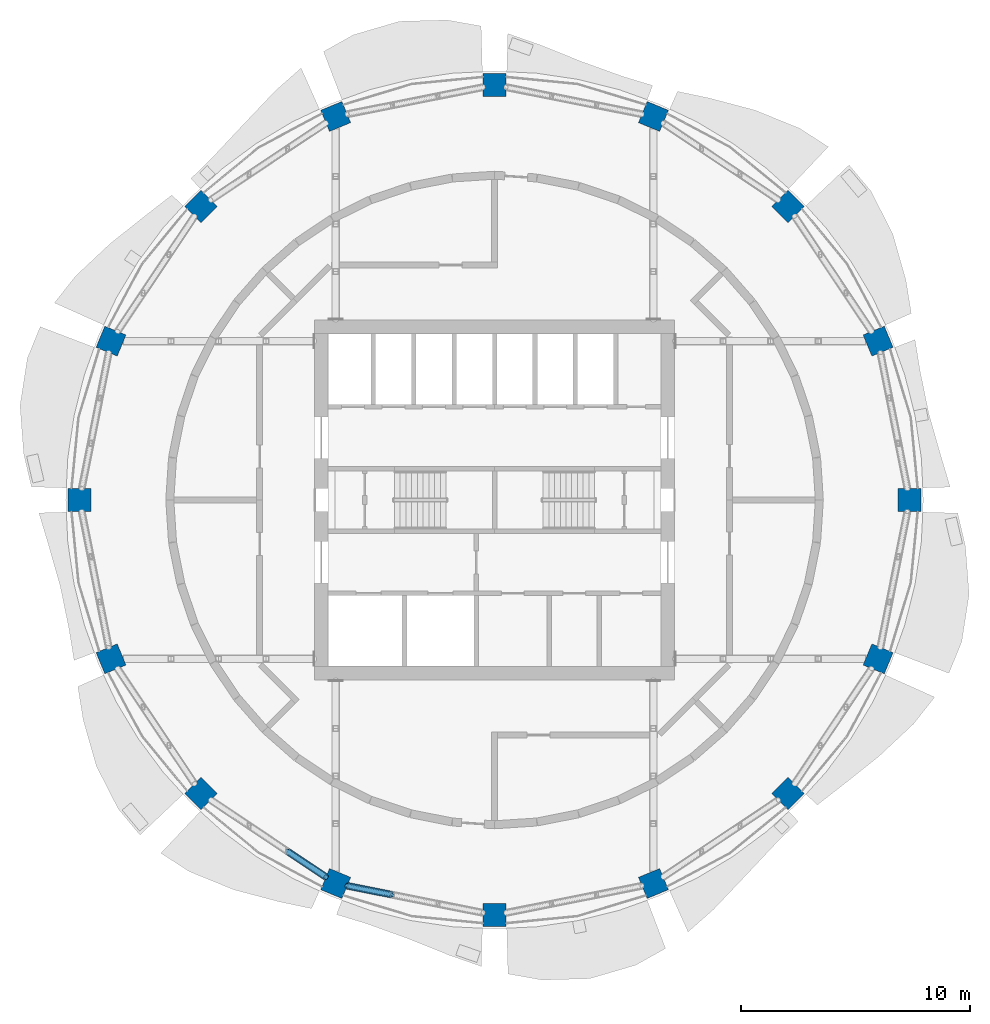
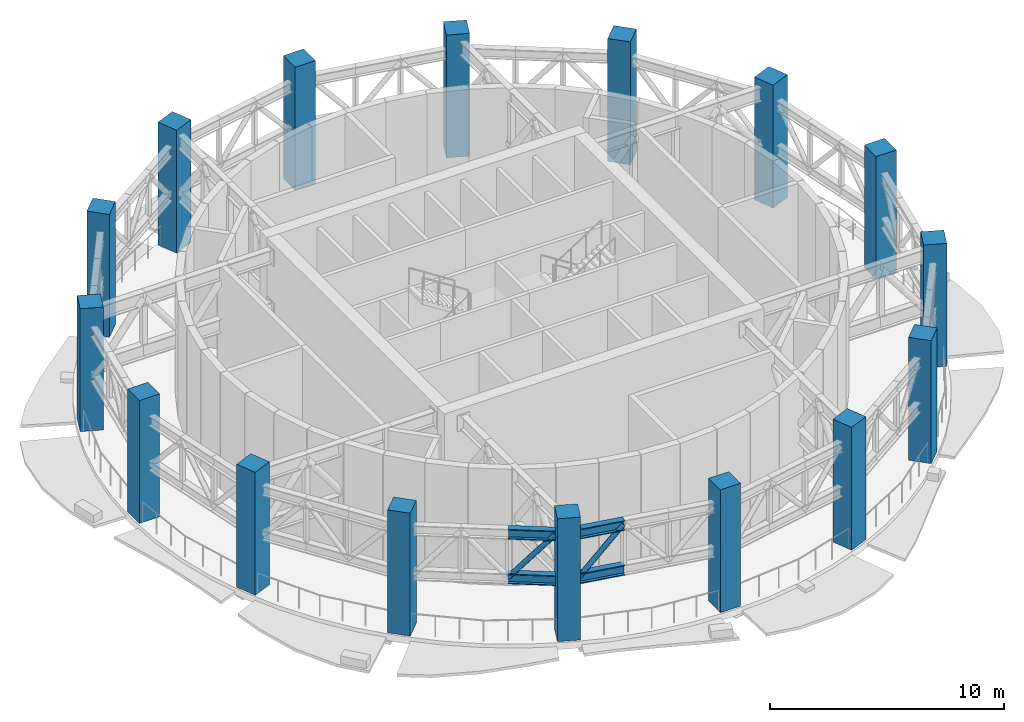
# One storey, part 1 of 14: 16 columns, 6 members.
"""IFC4 building model written with IfcOpenShell, lengths in metres."""

from ifc_helpers import new_model, si_unit, direction, frame, origin, origin_2d, place, context, subcontext, project, spatial, rectangle, hollow_circle, i_section, extrude, material, material_profile, profile_set, type_object, element, save


model = new_model("IFC4")

# Units and contexts
model_context = context("Model", 3, precision=1e-05, world=origin(), true_north=direction((0.0, 1.0)))
body_context = subcontext(model_context, "Body", "Model", "MODEL_VIEW")
ifc_project = project(units=[si_unit("LENGTHUNIT", "METRE"), si_unit("AREAUNIT", "SQUARE_METRE"), si_unit("VOLUMEUNIT", "CUBIC_METRE"), si_unit("PLANEANGLEUNIT", "RADIAN"), si_unit("MASSUNIT", "GRAM", prefix="KILO")], contexts=[model_context])

# Site, building, storey
site_placement = place(None, origin())
site = spatial("IfcSite", under=ifc_project, at=site_placement, CompositionType="ELEMENT")
building_placement = place(site_placement, origin())
building = spatial("IfcBuilding", under=site, at=building_placement, Name="Polderwave Tower", CompositionType="ELEMENT")
storey_placement = place(building_placement, frame((0.0, 0.0, 161.14990234375)))
storey = spatial("IfcBuildingStorey", under=building, at=storey_placement, Name="L43", CompositionType="ELEMENT", Elevation=161.14990234375)

# Columns
ifc_material_1 = material(Name="Concrete C60/75", Category="concrete")
ifc_material_profile_1 = material_profile(ifc_material_1, rectangle(XDim=1.0, YDim=1.0, at=origin_2d()), Name="RC 1000x1000")
ifc_profile_set_1 = profile_set([ifc_material_profile_1], Name="Concrete C60/75")
column_type = type_object("IfcColumnType", Name="RC COLUMN 1000x1000 C60/75", PredefinedType="COLUMN", material=ifc_profile_set_1)
for number, where, z_axis, x_axis, name in (
    (1, (18.14990234375, 0.0, 0.0), (0.0, 0.0, 1.0), (1.0, 0.0, 0.0), "Ring column 01"),
    (2, (16.768310546875, 6.94580078125, 0.0), (0.0, 0.0, 1.0), (0.923879532511, 0.382683432365, 0.0), "Ring column 02"),
    (3, (12.833984375, 12.833984375, 0.0), (0.0, 0.0, 1.0), (0.707106781187, 0.707106781187, 0.0), "Ring column 03"),
    (4, (6.94580078125, 16.768310546875, 0.0), (0.0, 0.0, 1.0), (0.382683432365, 0.923879532511, 0.0), "Ring column 04"),
    (5, (0.0, 18.14990234375, 0.0), (0.0, 0.0, 1.0), (0.0, 1.0, 0.0), "Ring column 05"),
    (6, (-6.94580078125, 16.768310546875, 0.0), (0.0, 0.0, 1.0), (-0.382683432365, 0.923879532511, 0.0), "Ring column 06"),
    (7, (-12.833984375, 12.833984375, 0.0), (0.0, 0.0, 1.0), (-0.707106781187, 0.707106781187, 0.0), "Ring column 07"),
    (8, (-16.768310546875, 6.94580078125, 0.0), (0.0, 0.0, 1.0), (-0.923879532511, 0.382683432365, 0.0), "Ring column 08"),
    (9, (-18.14990234375, 0.0, 0.0), (0.0, 0.0, 1.0), (-1.0, 0.0, 0.0), "Ring column 09"),
    (10, (-16.768310546875, -6.94580078125, 0.0), (0.0, 0.0, 1.0), (-0.923879532511, -0.382683432365, 0.0), "Ring column 10"),
    (11, (-12.833984375, -12.833984375, 0.0), (0.0, 0.0, 1.0), (-0.707106781187, -0.707106781187, 0.0), "Ring column 11"),
    (12, (-6.94580078125, -16.768310546875, 0.0), (0.0, 0.0, 1.0), (-0.382683432365, -0.923879532511, 0.0), "Ring column 12"),
    (13, (0.0, -18.14990234375, 0.0), (0.0, 0.0, 1.0), (0.0, -1.0, 0.0), "Ring column 13"),
    (14, (6.94580078125, -16.768310546875, 0.0), (0.0, 0.0, 1.0), (0.382683432365, -0.923879532511, 0.0), "Ring column 14"),
    (15, (12.833984375, -12.833984375, 0.0), (0.0, 0.0, 1.0), (0.707106781187, -0.707106781187, 0.0), "Ring column 15"),
    (16, (16.768310546875, -6.94580078125, 0.0), (0.0, 0.0, 1.0), (0.923879532511, -0.382683432365, 0.0), "Ring column 16"),
):
    element("IfcColumn", number, at=place(storey_placement, frame(where, z_axis=z_axis, x_axis=x_axis)), inside=storey, type_object=column_type, Name=name, PredefinedType="COLUMN", context=body_context, shape_type="SweptSolid", body=[
        extrude(rectangle(XDim=1.0, YDim=1.0, at=origin_2d()), origin(), (0.0, 0.0, 1.0), 6.400146484375),
    ])

# Members
ifc_material_2 = material(Name="Steel S460", Category="steel")
ifc_material_profile_2 = material_profile(ifc_material_2, i_section(OverallWidth=0.305908203125, OverallDepth=0.52392578125, WebThickness=0.02099609375, FlangeThickness=0.0400390625, at=origin_2d()), Name="HE 500 M")
ifc_profile_set_2 = profile_set([ifc_material_profile_2], Name="Steel S460")
member_type_1 = type_object("IfcMemberType", Name="BELT CHORD HE 500 M", PredefinedType="CHORD", material=ifc_profile_set_2)
for number, where, z_axis, x_axis, name in (
    (17, (-9.0498046875, -15.362548828125, 5.18798828125), (0.831492237093, -0.555536371135, 0.0), (0.555536371135, 0.831492237093, 0.0), "ST-BT-L43-10-TC3"),
    (18, (-9.0498046875, -15.362548828125, 2.862060546875), (0.831492237093, -0.555536371135, 0.0), (0.555536371135, 0.831492237093, 0.0), "ST-BT-L43-10-BC3"),
    (19, (-6.44580078125, -16.867919921875, 5.18798828125), (0.980779976955, -0.195116982358, 0.0), (0.195116982358, 0.980779976955, 0.0), "ST-BT-L43-11-TC1"),
    (20, (-6.44580078125, -16.867919921875, 2.862060546875), (0.980779976955, -0.195116982358, 0.0), (0.195116982358, 0.980779976955, 0.0), "ST-BT-L43-11-BC1"),
):
    element("IfcMember", number, at=place(storey_placement, frame(where, z_axis=z_axis, x_axis=x_axis)), inside=storey, type_object=member_type_1, Name=name, PredefinedType="CHORD", context=body_context, shape_type="SweptSolid", body=[
        extrude(i_section(OverallWidth=0.305908203125, OverallDepth=0.52392578125, WebThickness=0.02099609375, FlangeThickness=0.0400390625, at=origin_2d()), origin(), (0.0, 0.0, 1.0), 2.020751953125),
    ])
ifc_material_profile_3 = material_profile(ifc_material_2, hollow_circle(Radius=0.122314453125, WallThickness=0.010009765625, at=origin_2d()), Name="CHS 244.5x10")
ifc_profile_set_3 = profile_set([ifc_material_profile_3], Name="Steel S460")
member_type_2 = type_object("IfcMemberType", Name="BELT DIAGONAL CHS 244.5x10", PredefinedType="BRACE", material=ifc_profile_set_3)
for number, where, z_axis, x_axis, name in (
    (21, (-9.0498046875, -15.362548828125, 2.862060546875), (0.545319989991, -0.364339045914, 0.754906065772), (0.555536371135, 0.831492237093, 0.0), "ST-BT-L43-10-D3"),
    (22, (-6.44580078125, -16.867919921875, 2.862060546875), (0.643245519431, -0.127967666159, 0.754890374922), (0.195116982358, 0.980779976955, 0.0), "ST-BT-L43-11-D1"),
):
    element("IfcMember", number, at=place(storey_placement, frame(where, z_axis=z_axis, x_axis=x_axis)), inside=storey, type_object=member_type_2, Name=name, PredefinedType="BRACE", context=body_context, shape_type="SweptSolid", body=[
        extrude(hollow_circle(Radius=0.122314453125, WallThickness=0.010009765625, at=origin_2d()), origin(), (0.0, 0.0, 1.0), 3.0810546875),
    ])

save(model, "model.ifc")
